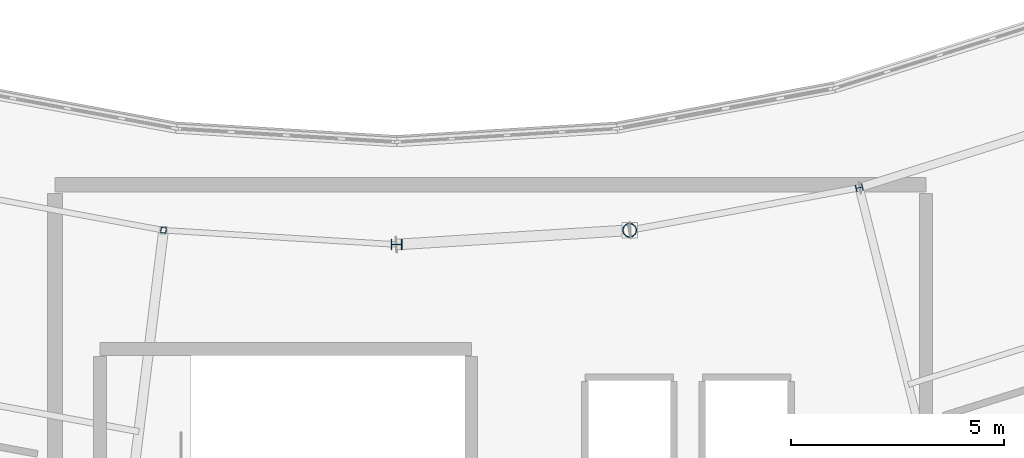
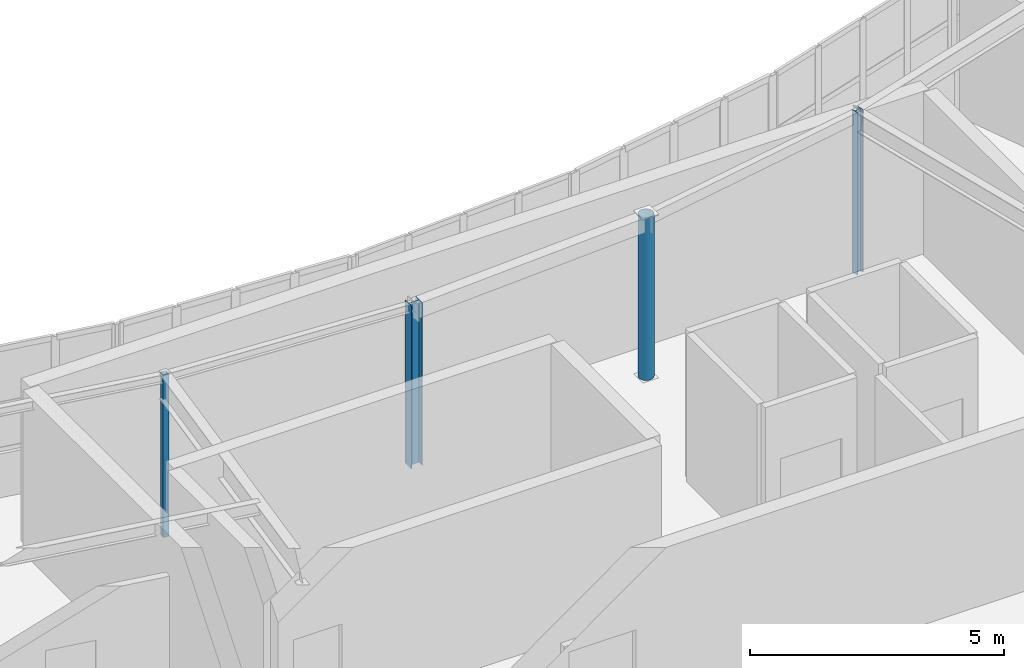
# One storey, part 5 of 60: 4 columns.
"""IFC4 building model written with IfcOpenShell, lengths in metres."""

import ifcopenshell
import ifcopenshell.guid

model = None  # the IFC model being written
_history = None  # IfcOwnerHistory: only IFC2X3 demands one
_inside = {}  # id of a spatial element -> (the spatial element, [elements in it])
_under = {}  # id of a project, library or spatial element -> (it, [spatial elements below it])
_declared = {}  # id of a project -> (the project, [libraries it declares])
_typed = {}  # id of a type object -> (the type object, [elements of that type])
_made_of = {}  # id of a material, layer set ... -> (it, [elements and type objects made of it])


def new_model(schema):
    """Start an empty IFC model of exactly this schema.

    Asked for "IFC4X3", IfcOpenShell would pick the latest addendum, in which some entities
    have other attributes; the version numbers below select the first issue.
    IFC2X3 requires an IfcOwnerHistory on every rooted entity: one is made here for all.
    """
    global model, _history
    if schema == "IFC4X3":
        model = ifcopenshell.file(schema_version=(4, 3, 0, 0))
    else:
        model = ifcopenshell.file(schema=schema)
    _inside.clear()
    _under.clear()
    _declared.clear()
    _typed.clear()
    _made_of.clear()
    _history = None
    if model.schema == "IFC2X3":
        org = make("IfcOrganization", Name="unknown")
        user = make(
            "IfcPersonAndOrganization",
            ThePerson=make("IfcPerson", FamilyName="unknown"),
            TheOrganization=org,
        )
        app = make(
            "IfcApplication",
            ApplicationDeveloper=org,
            Version="unknown",
            ApplicationFullName="unknown",
            ApplicationIdentifier="unknown",
        )
        _history = make(
            "IfcOwnerHistory",
            OwningUser=user,
            OwningApplication=app,
            ChangeAction="ADDED",
            CreationDate=0,
        )
    return model


def make(cls, **values):
    """One entity of the class cls with the attributes given. An attribute that is None is left unset."""
    return model.create_entity(
        cls, **{name: value for name, value in values.items() if value is not None}
    )


def rooted(cls, **values):
    """An entity with a GlobalId (a new one), such as an element, a storey or a relation."""
    return make(cls, GlobalId=ifcopenshell.guid.new(), OwnerHistory=_history, **values)


def si_unit(unit_type, name, prefix=None):
    """IfcSIUnit, for example si_unit("LENGTHUNIT", "METRE", prefix="MILLI")."""
    return make("IfcSIUnit", UnitType=unit_type, Prefix=prefix, Name=name)


def assignment(units):
    """IfcUnitAssignment: the units of a project."""
    return None if units is None else make("IfcUnitAssignment", Units=units)


def point(xyz):
    """IfcCartesianPoint."""
    return None if xyz is None else make("IfcCartesianPoint", Coordinates=xyz)


def direction(xyz):
    """IfcDirection."""
    return None if xyz is None else make("IfcDirection", DirectionRatios=xyz)


def frame(location, z_axis=None, x_axis=None):
    """IfcAxis2Placement3D, a coordinate frame: its origin and axes. An axis left out is left unset."""
    return make(
        "IfcAxis2Placement3D",
        Location=point(location),
        Axis=direction(z_axis),
        RefDirection=direction(x_axis),
    )


def frame_2d(location, x_axis=None):
    """IfcAxis2Placement2D, a coordinate frame in the plane: its origin and x axis."""
    return make(
        "IfcAxis2Placement2D", Location=point(location), RefDirection=direction(x_axis)
    )


def origin():
    """The frame at (0, 0, 0) with its axes left unset."""
    return frame((0.0, 0.0, 0.0))


def origin_2d():
    """The frame at (0, 0) in the plane with its x axis left unset."""
    return frame_2d((0.0, 0.0))


def place(relative_to, where):
    """IfcLocalPlacement: puts the frame where relative to a parent placement (None: the world)."""
    return make(
        "IfcLocalPlacement", PlacementRelTo=relative_to, RelativePlacement=where
    )


def context(
    kind, dimensions, precision=None, world=None, true_north=None, identifier=None
):
    """IfcGeometricRepresentationContext, for example the 3D "Model" context."""
    return make(
        "IfcGeometricRepresentationContext",
        ContextIdentifier=identifier,
        ContextType=kind,
        CoordinateSpaceDimension=dimensions,
        Precision=precision,
        WorldCoordinateSystem=world,
        TrueNorth=true_north,
    )


def subcontext(parent, identifier, kind, view, scale=None):
    """IfcGeometricRepresentationSubContext, for example "Body" below "Model"."""
    return make(
        "IfcGeometricRepresentationSubContext",
        ContextIdentifier=identifier,
        ContextType=kind,
        ParentContext=parent,
        TargetScale=scale,
        TargetView=view,
    )


def project(units=None, contexts=None):
    """IfcProject with its units and contexts."""
    return rooted(
        "IfcProject",
        Name="project",
        RepresentationContexts=contexts,
        UnitsInContext=assignment(units),
    )


def spatial(cls, under=None, at=None, **own):
    """A site, building, storey or space (cls), placed at a placement, below another one or the project."""
    s = rooted(cls, ObjectPlacement=at, **own)
    if under is not None:
        _under.setdefault(under.id(), (under, []))[1].append(s)
    return s


def profile(cls, at=None, kind="AREA", **sizes):
    """A parametric profile (cls). Its sizes go by their IFC names, for example OverallWidth=200.0."""
    return make(cls, ProfileType=kind, Position=at, **sizes)


def hollow_rectangle(**sizes):
    """IfcRectangleHollowProfileDef."""
    return profile("IfcRectangleHollowProfileDef", **sizes)


def hollow_circle(**sizes):
    """IfcCircleHollowProfileDef."""
    return profile("IfcCircleHollowProfileDef", **sizes)


def i_section(**sizes):
    """IfcIShapeProfileDef."""
    return profile("IfcIShapeProfileDef", **sizes)


def extrude(swept, where, along, depth):
    """IfcExtrudedAreaSolid: the profile swept, set in the frame where, extruded along a direction by depth."""
    return make(
        "IfcExtrudedAreaSolid",
        SweptArea=swept,
        Position=where,
        ExtrudedDirection=direction(along),
        Depth=depth,
    )


def shape(context_of_items, identifier, shape_type, items):
    """IfcShapeRepresentation: the items that make up one representation, for example the "Body"."""
    return make(
        "IfcShapeRepresentation",
        ContextOfItems=context_of_items,
        RepresentationIdentifier=identifier,
        RepresentationType=shape_type,
        Items=items,
    )


def material(Name=None, Category=None):
    """IfcMaterial."""
    return make("IfcMaterial", Name=Name, Category=Category)


def material_profile(
    of_material, cross_section, Name=None, Category=None, Priority=None
):
    """IfcMaterialProfile: a cross section and its material."""
    return make(
        "IfcMaterialProfile",
        Name=Name,
        Material=of_material,
        Profile=cross_section,
        Priority=Priority,
        Category=Category,
    )


def profile_set(profiles, Name=None, composite=None):
    """IfcMaterialProfileSet."""
    return make(
        "IfcMaterialProfileSet",
        Name=Name,
        MaterialProfiles=profiles,
        CompositeProfile=composite,
    )


def made_of(thing, what):
    """Note that an element or type object is made of a material, layer set ...; save() writes the relation."""
    if what is not None:
        _made_of.setdefault(what.id(), (what, []))[1].append(thing)
    return thing


def type_object(cls, material=None, **own):
    """A type object (cls), such as IfcWallType, which elements share."""
    return made_of(rooted(cls, **own), material)


def element(
    cls,
    number,
    at=None,
    inside=None,
    cuts=None,
    type_object=None,
    material=None,
    context=None,
    identifier="Body",
    shape_type=None,
    held_by="IfcProductDefinitionShape",
    body=None,
    shapes=None,
    **own,
):
    """One element of the class cls, such as IfcWall. Its Tag is "e" and its number.

    at: its placement. inside: the storey or other place that contains it. cuts: it is an
    opening in that element (IfcRelVoidsElement). A single representation is given by context,
    identifier, shape_type and body (its items); several are given by shapes. held_by: the class
    of the entity that holds the representations. save() writes the other relations.
    """
    e = rooted(cls, Tag="e%d" % number, ObjectPlacement=at, **own)
    if body is not None:
        shapes = [shape(context, identifier, shape_type, body)]
    if shapes is not None:
        e.Representation = make(held_by, Representations=shapes)
    if inside is not None:
        _inside.setdefault(inside.id(), (inside, []))[1].append(e)
    if cuts is not None:
        rooted(
            "IfcRelVoidsElement", RelatingBuildingElement=cuts, RelatedOpeningElement=e
        )
    if type_object is not None:
        _typed.setdefault(type_object.id(), (type_object, []))[1].append(e)
    return made_of(e, material)


def aggregate(whole, parts):
    """IfcRelAggregates: a whole, such as a stair, and the parts it consists of."""
    return rooted("IfcRelAggregates", RelatingObject=whole, RelatedObjects=parts)


def save(model, path):
    """Write the relations noted so far, then the file.

    IfcRelAggregates (storeys below a building ...), IfcRelContainedInSpatialStructure (elements
    in a storey), IfcRelDefinesByType, IfcRelAssociatesMaterial and IfcRelDeclares: one each for
    every whole, place, type object, material and project.
    """
    for whole, parts in _under.values():
        aggregate(whole, parts)
    for where, things in _inside.values():
        rooted(
            "IfcRelContainedInSpatialStructure",
            RelatedElements=things,
            RelatingStructure=where,
        )
    for kind, things in _typed.values():
        rooted("IfcRelDefinesByType", RelatedObjects=things, RelatingType=kind)
    for what, things in _made_of.values():
        rooted("IfcRelAssociatesMaterial", RelatedObjects=things, RelatingMaterial=what)
    for by, libraries in _declared.values():
        rooted("IfcRelDeclares", RelatingContext=by, RelatedDefinitions=libraries)
    model.write(path)


model = new_model("IFC4")

# Units and contexts
model_context = context("Model", 3, precision=1e-05, world=origin(), true_north=direction((0.0, 1.0)))
body_context = subcontext(model_context, "Body", "Model", "MODEL_VIEW")
ifc_project = project(units=[si_unit("LENGTHUNIT", "METRE"), si_unit("AREAUNIT", "SQUARE_METRE"), si_unit("VOLUMEUNIT", "CUBIC_METRE"), si_unit("PLANEANGLEUNIT", "RADIAN"), si_unit("MASSUNIT", "GRAM", prefix="KILO")], contexts=[model_context])

# Site, building, storey
site_placement = place(None, origin())
site = spatial("IfcSite", under=ifc_project, at=site_placement, CompositionType="ELEMENT")
building_placement = place(site_placement, origin())
building = spatial("IfcBuilding", under=site, at=building_placement, Name="Tarnwether General Hospital", CompositionType="ELEMENT")
storey_placement = place(building_placement, frame((0.0, 0.0, 26.10009765625)))
storey = spatial("IfcBuildingStorey", under=building, at=storey_placement, Name="L06", CompositionType="ELEMENT", Elevation=26.10009765625)

# Columns
ifc_material_1 = material(Name="Steel Grade 350 (350 MPa)", Category="steel")
ifc_material_profile_1 = material_profile(ifc_material_1, i_section(OverallWidth=0.25390625, OverallDepth=0.25390625, WebThickness=0.008544921875, FlangeThickness=0.01416015625, at=origin_2d()), Name="250UC72.9")
ifc_profile_set_1 = profile_set([ifc_material_profile_1], Name="Steel Grade 350 (350 MPa)")
column_type_1 = type_object("IfcColumnType", Name="COL-24", PredefinedType="COLUMN", material=ifc_profile_set_1)
column_1_placement = place(storey_placement, frame((92.0, 18.199951171875, 0.0), z_axis=(0.0, 0.0, 1.0), x_axis=(0.0, 1.0, 0.0)))
element("IfcColumn", 1, at=column_1_placement, inside=storey, type_object=column_type_1, Name="Column COLG-L06-9200_1820", PredefinedType="COLUMN", context=body_context, shape_type="SweptSolid", body=[
    extrude(i_section(OverallWidth=0.25390625, OverallDepth=0.25390625, WebThickness=0.008544921875, FlangeThickness=0.01416015625, at=origin_2d()), origin(), (0.0, 0.0, 1.0), 3.89990234375),
])
ifc_material_2 = material(Name="Steel Grade C350L0 (350 MPa)", Category="steel")
ifc_material_profile_2 = material_profile(ifc_material_2, hollow_circle(Radius=0.161865234375, WallThickness=0.0126953125, at=origin_2d()), Name="CHS323.9x12.7")
ifc_profile_set_2 = profile_set([ifc_material_profile_2], Name="Steel Grade C350L0 (350 MPa)")
column_type_2 = type_object("IfcColumnType", Name="COL-26", PredefinedType="COLUMN", material=ifc_profile_set_2)
column_2_placement = place(storey_placement, frame((97.4599609375, 18.533935546875, 0.0), z_axis=(0.0, 0.0, 1.0), x_axis=(-0.121869343405, 0.992546151641, 0.0)))
element("IfcColumn", 2, at=column_2_placement, inside=storey, type_object=column_type_2, Name="Column COLG-L06-9746_1853", PredefinedType="COLUMN", context=body_context, shape_type="SweptSolid", body=[
    extrude(hollow_circle(Radius=0.161865234375, WallThickness=0.0126953125, at=origin_2d()), origin(), (0.0, 0.0, 1.0), 3.89990234375),
])
ifc_material_3 = material(Name="Steel Grade 350 (350 MPa)", Category="steel")
ifc_material_profile_3 = material_profile(ifc_material_3, i_section(OverallWidth=0.154052734375, OverallDepth=0.162109375, WebThickness=0.008056640625, FlangeThickness=0.011474609375, at=origin_2d()), Name="150UC37.2")
ifc_profile_set_3 = profile_set([ifc_material_profile_3], Name="Steel Grade 350 (350 MPa)")
column_type_3 = type_object("IfcColumnType", Name="COL-28", PredefinedType="COLUMN", material=ifc_profile_set_3)
column_3_placement = place(storey_placement, frame((102.837890625, 19.531005859375, 0.0), z_axis=(0.0, 0.0, 1.0), x_axis=(-0.2419218956, 0.970295726276, 0.0)))
element("IfcColumn", 3, at=column_3_placement, inside=storey, type_object=column_type_3, Name="Column COLG-L06-10284_1953", PredefinedType="COLUMN", context=body_context, shape_type="SweptSolid", body=[
    extrude(i_section(OverallWidth=0.154052734375, OverallDepth=0.162109375, WebThickness=0.008056640625, FlangeThickness=0.011474609375, at=origin_2d()), origin(), (0.0, 0.0, 1.0), 3.89990234375),
])
ifc_material_4 = material(Name="Steel Grade C350L0 (350 MPa)", Category="steel")
ifc_material_profile_4 = material_profile(ifc_material_4, hollow_rectangle(XDim=0.125, YDim=0.125, WallThickness=0.006103515625, at=origin_2d()), Name="SHS125x125x6")
ifc_profile_set_4 = profile_set([ifc_material_profile_4], Name="Steel Grade C350L0 (350 MPa)")
column_type_4 = type_object("IfcColumnType", Name="COL-34", PredefinedType="COLUMN", material=ifc_profile_set_4)
column_4_placement = place(storey_placement, frame((86.5400390625, 18.533935546875, 0.0), z_axis=(0.0, 0.0, 1.0), x_axis=(0.121869343405, 0.992546151641, 0.0)))
element("IfcColumn", 4, at=column_4_placement, inside=storey, type_object=column_type_4, Name="Column COLG-L06-8654_1853", PredefinedType="COLUMN", context=body_context, shape_type="SweptSolid", body=[
    extrude(hollow_rectangle(XDim=0.125, YDim=0.125, WallThickness=0.006103515625, at=origin_2d()), origin(), (0.0, 0.0, 1.0), 3.89990234375),
])

save(model, "model.ifc")
